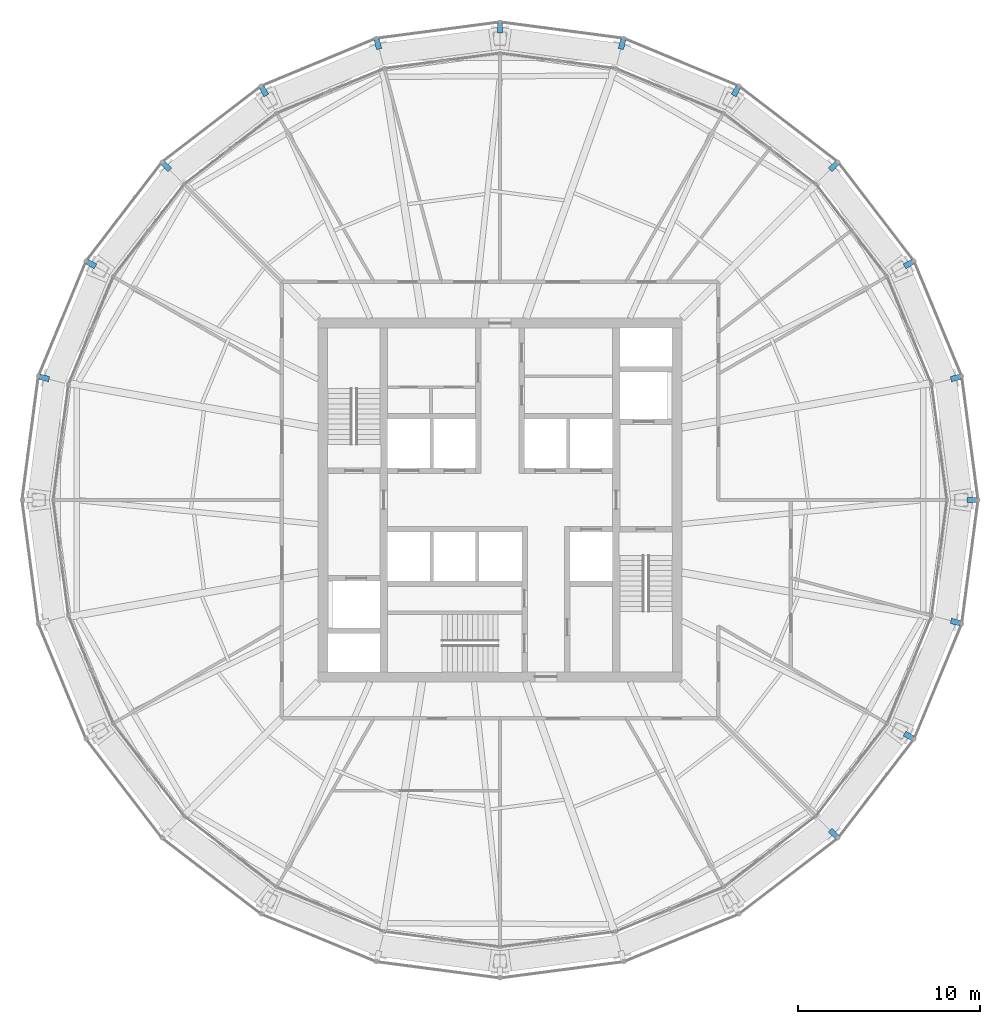
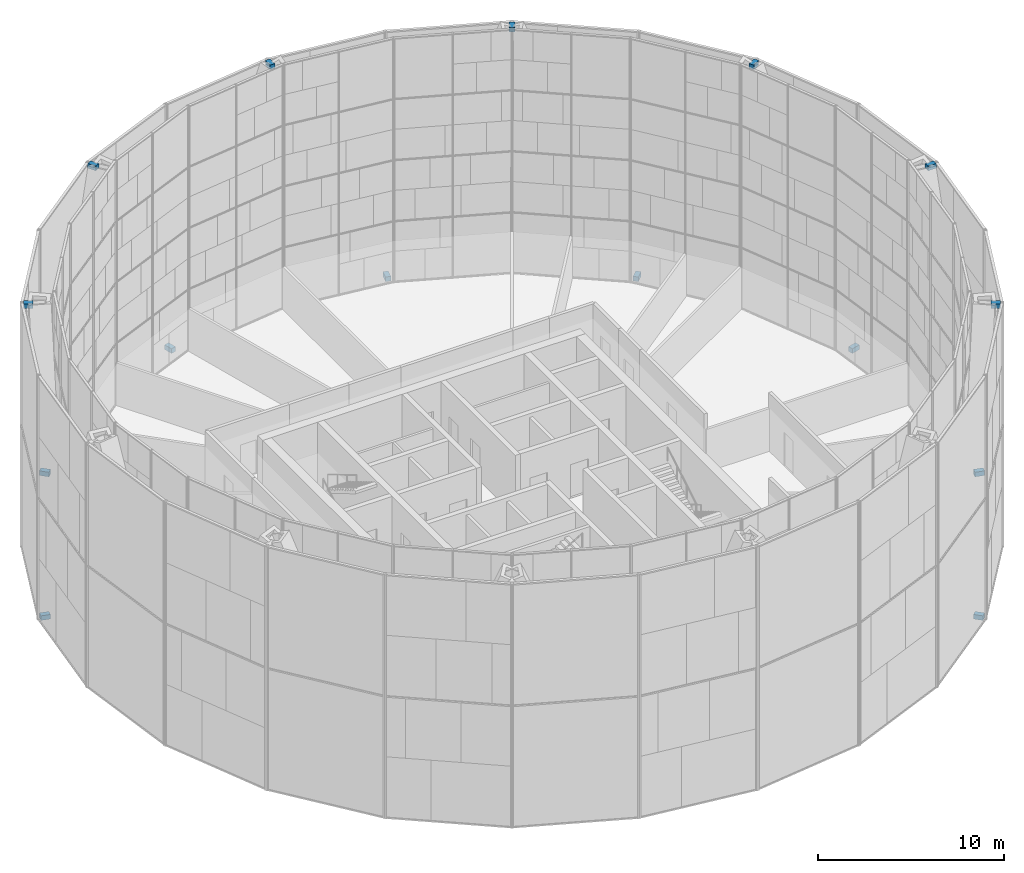
# One storey, part 29 of 30: 15 discrete accessories.
"""IFC4 building model written with IfcOpenShell, lengths in metres."""

from ifc_helpers import new_model, si_unit, direction, frame, origin, origin_2d, place, context, subcontext, project, spatial, rectangle, extrude, material, type_object, element, save


model = new_model("IFC4")

# Units and contexts
model_context = context("Model", 3, precision=1e-05, world=origin(), true_north=direction((0.0, 1.0)))
body_context = subcontext(model_context, "Body", "Model", "MODEL_VIEW")
ifc_project = project(units=[si_unit("LENGTHUNIT", "METRE"), si_unit("AREAUNIT", "SQUARE_METRE"), si_unit("VOLUMEUNIT", "CUBIC_METRE"), si_unit("PLANEANGLEUNIT", "RADIAN"), si_unit("MASSUNIT", "GRAM", prefix="KILO")], contexts=[model_context])

# Site, building, storey
site_placement = place(None, origin())
site = spatial("IfcSite", under=ifc_project, at=site_placement, CompositionType="ELEMENT")
building_placement = place(site_placement, origin())
building = spatial("IfcBuilding", under=site, at=building_placement, Name="Golbaran Civic Tower", CompositionType="ELEMENT")
storey_placement = place(building_placement, frame((0.0, 0.0, 102.0)))
storey = spatial("IfcBuildingStorey", under=building, at=storey_placement, Name="L24", CompositionType="ELEMENT", Elevation=102.0)

# Discrete accessories
ifc_material = material(Name="Steel S355", Category="steel")
discrete_accessory_type = type_object("IfcDiscreteAccessoryType", Name="OUTER SKIN BRACKET", PredefinedType="BRACKET", material=ifc_material)
for number, where, z_axis, x_axis, name in (
    (1, (25.06298828125, 6.715576171875, -0.7099609375), (0.0, 0.0, 1.0), (0.965925826289, 0.258819045103, 0.0), "Outer skin bracket L24 node 1"),
    (2, (18.347412109375, 18.347412109375, -0.7099609375), (0.0, 0.0, 1.0), (0.707106781187, 0.707106781187, 0.0), "Outer skin bracket L24 node 2"),
    (3, (6.715576171875, 25.06298828125, -0.7099609375), (0.0, 0.0, 1.0), (0.258819045103, 0.965925826289, 0.0), "Outer skin bracket L24 node 3"),
    (4, (-6.715576171875, 25.06298828125, -0.7099609375), (0.0, 0.0, 1.0), (-0.258819045103, 0.965925826289, 0.0), "Outer skin bracket L24 node 4"),
    (5, (-18.347412109375, 18.347412109375, -0.7099609375), (0.0, 0.0, 1.0), (-0.707106781187, 0.707106781187, 0.0), "Outer skin bracket L24 node 5"),
    (6, (-25.06298828125, 6.715576171875, -0.7099609375), (0.0, 0.0, 1.0), (-0.965925826289, 0.258819045103, 0.0), "Outer skin bracket L24 node 6"),
    (7, (18.347412109375, -18.347412109375, -0.7099609375), (0.0, 0.0, 1.0), (0.707106781187, -0.707106781187, 0.0), "Outer skin bracket L24 node 11"),
    (8, (25.06298828125, -6.715576171875, -0.7099609375), (0.0, 0.0, 1.0), (0.965925826289, -0.258819045103, 0.0), "Outer skin bracket L24 node 12"),
):
    element("IfcDiscreteAccessory", number, at=place(storey_placement, frame(where, z_axis=z_axis, x_axis=x_axis)), inside=storey, type_object=discrete_accessory_type, Name=name, PredefinedType="BRACKET", context=body_context, shape_type="SweptSolid", body=[
        extrude(rectangle(XDim=0.531982421875, YDim=0.300048828125, at=origin_2d()), origin(), (0.0, 0.0, 1.0), 0.300048828125),
    ])
for number, where, z_axis, x_axis, name in (
    (9, (25.952880859375, 0.0, 14.98974609375), (0.0, 0.0, 1.0), (1.0, 0.0, 0.0), "Outer skin head bracket L24 node 1"),
    (10, (22.47607421875, 12.9765625, 14.98974609375), (0.0, 0.0, 1.0), (0.866025403784, 0.5, 0.0), "Outer skin head bracket L24 node 2"),
    (11, (12.9765625, 22.47607421875, 14.98974609375), (0.0, 0.0, 1.0), (0.5, 0.866025403784, 0.0), "Outer skin head bracket L24 node 3"),
    (12, (0.0, 25.952880859375, 14.98974609375), (0.0, 0.0, 1.0), (0.0, 1.0, 0.0), "Outer skin head bracket L24 node 4"),
    (13, (-12.9765625, 22.47607421875, 14.98974609375), (0.0, 0.0, 1.0), (-0.5, 0.866025403784, 0.0), "Outer skin head bracket L24 node 5"),
    (14, (-22.47607421875, 12.9765625, 14.98974609375), (0.0, 0.0, 1.0), (-0.866025403784, 0.5, 0.0), "Outer skin head bracket L24 node 6"),
    (15, (22.47607421875, -12.9765625, 14.98974609375), (0.0, 0.0, 1.0), (0.866025403784, -0.5, 0.0), "Outer skin head bracket L24 node 12"),
):
    element("IfcDiscreteAccessory", number, at=place(storey_placement, frame(where, z_axis=z_axis, x_axis=x_axis)), inside=storey, type_object=discrete_accessory_type, Name=name, PredefinedType="BRACKET", context=body_context, shape_type="SweptSolid", body=[
        extrude(rectangle(XDim=0.52001953125, YDim=0.300048828125, at=origin_2d()), origin(), (0.0, 0.0, 1.0), 0.300048828125),
    ])

save(model, "model.ifc")
